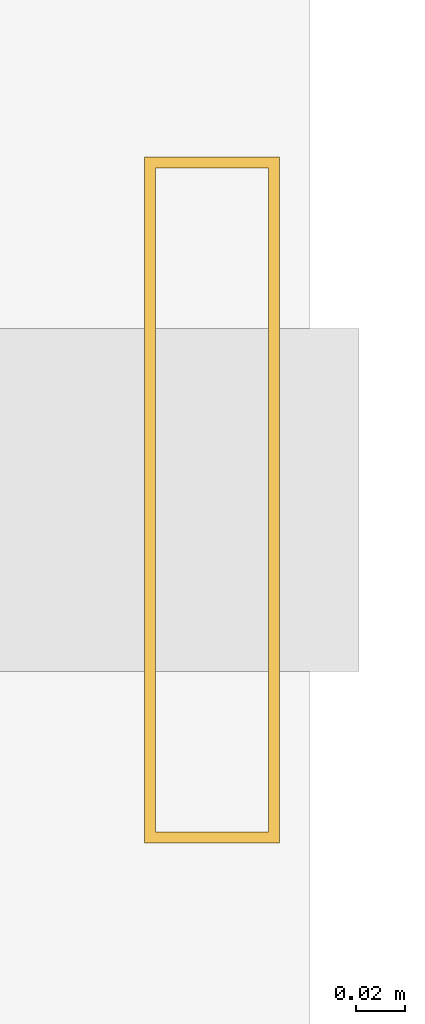
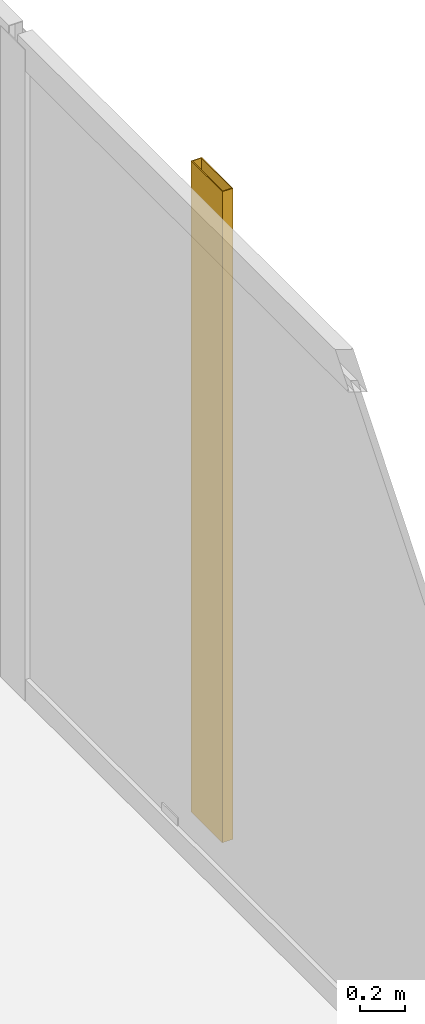
# One storey, part 24 of 24: 1 shading device.
"""IFC4 building model written with IfcOpenShell, lengths in metres."""

from ifc_helpers import new_model, si_unit, direction, frame, origin, origin_2d, place, context, subcontext, project, spatial, hollow_rectangle, extrude, material, material_profile, profile_set, type_object, element, save


model = new_model("IFC4")

# Units and contexts
model_context = context("Model", 3, precision=1e-05, world=origin(), true_north=direction((0.0, 1.0)))
body_context = subcontext(model_context, "Body", "Model", "MODEL_VIEW")
ifc_project = project(units=[si_unit("LENGTHUNIT", "METRE"), si_unit("AREAUNIT", "SQUARE_METRE"), si_unit("VOLUMEUNIT", "CUBIC_METRE"), si_unit("PLANEANGLEUNIT", "RADIAN"), si_unit("MASSUNIT", "GRAM", prefix="KILO")], contexts=[model_context])

# Site, building, storey
site_placement = place(None, origin())
site = spatial("IfcSite", under=ifc_project, at=site_placement, CompositionType="ELEMENT")
building_placement = place(site_placement, origin())
building = spatial("IfcBuilding", under=site, at=building_placement, Name="Kolvaren Waterfront Exchange", CompositionType="ELEMENT")
storey_placement = place(building_placement, frame((0.0, 0.0, 316.0)))
storey = spatial("IfcBuildingStorey", under=building, at=storey_placement, Name="L81", CompositionType="ELEMENT", Elevation=316.0)

# Shading device
ifc_material = material(Name="Anodised bronze aluminium 6063-T6", Category="aluminium")
ifc_material_profile = material_profile(ifc_material, hollow_rectangle(XDim=0.054931640625, YDim=0.280029296875, WallThickness=0.00439453125, at=origin_2d()), Name="BRZ-FIN-280x55x4.5")
ifc_profile_set = profile_set([ifc_material_profile], Name="Anodised bronze aluminium 6063-T6")
shading_device_type = type_object("IfcShadingDeviceType", Name="ARC-FIN-280", PredefinedType="USERDEFINED", material=ifc_profile_set)
shading_device_placement = place(storey_placement, frame((21.212646484375, 38.0, 0.0), z_axis=(0.0, 0.0, 1.0), x_axis=(1.0, 0.0, 0.0)))
element("IfcShadingDevice", 1, at=shading_device_placement, inside=storey, type_object=shading_device_type, Name="L81 anodised bronze solar shading fin FIN-L81-E3", ObjectType="SOLAR FIN", PredefinedType="USERDEFINED", context=body_context, shape_type="SweptSolid", body=[
    extrude(hollow_rectangle(XDim=0.054931640625, YDim=0.280029296875, WallThickness=0.00439453125, at=origin_2d()), origin(), (0.0, 0.0, 1.0), 3.56005859375),
])

save(model, "model.ifc")
